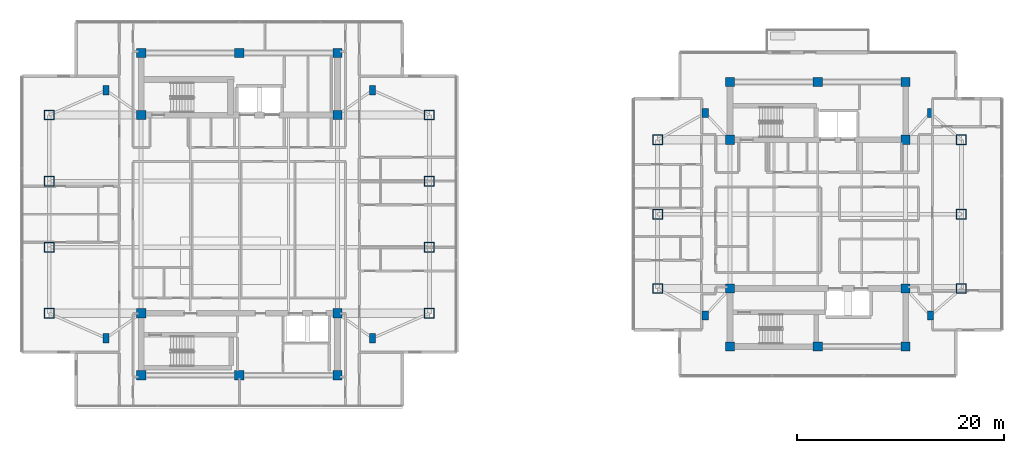
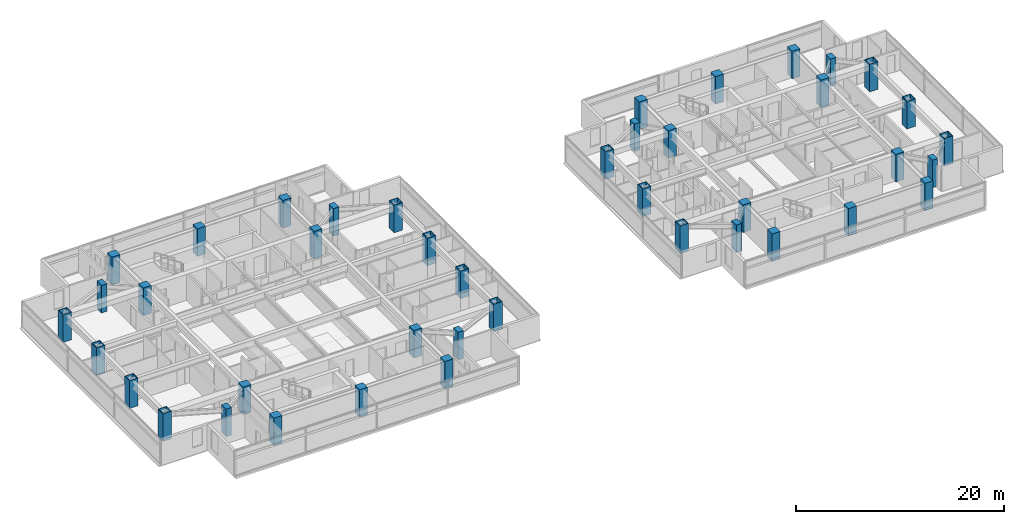
# One storey, part 1 of 26: 42 columns.
"""IFC4 building model written with IfcOpenShell, lengths in metres."""

import ifcopenshell
import ifcopenshell.guid

model = None  # the IFC model being written
_history = None  # IfcOwnerHistory: only IFC2X3 demands one
_inside = {}  # id of a spatial element -> (the spatial element, [elements in it])
_under = {}  # id of a project, library or spatial element -> (it, [spatial elements below it])
_declared = {}  # id of a project -> (the project, [libraries it declares])
_typed = {}  # id of a type object -> (the type object, [elements of that type])
_made_of = {}  # id of a material, layer set ... -> (it, [elements and type objects made of it])


def new_model(schema):
    """Start an empty IFC model of exactly this schema.

    Asked for "IFC4X3", IfcOpenShell would pick the latest addendum, in which some entities
    have other attributes; the version numbers below select the first issue.
    IFC2X3 requires an IfcOwnerHistory on every rooted entity: one is made here for all.
    """
    global model, _history
    if schema == "IFC4X3":
        model = ifcopenshell.file(schema_version=(4, 3, 0, 0))
    else:
        model = ifcopenshell.file(schema=schema)
    _inside.clear()
    _under.clear()
    _declared.clear()
    _typed.clear()
    _made_of.clear()
    _history = None
    if model.schema == "IFC2X3":
        org = make("IfcOrganization", Name="unknown")
        user = make(
            "IfcPersonAndOrganization",
            ThePerson=make("IfcPerson", FamilyName="unknown"),
            TheOrganization=org,
        )
        app = make(
            "IfcApplication",
            ApplicationDeveloper=org,
            Version="unknown",
            ApplicationFullName="unknown",
            ApplicationIdentifier="unknown",
        )
        _history = make(
            "IfcOwnerHistory",
            OwningUser=user,
            OwningApplication=app,
            ChangeAction="ADDED",
            CreationDate=0,
        )
    return model


def make(cls, **values):
    """One entity of the class cls with the attributes given. An attribute that is None is left unset."""
    return model.create_entity(
        cls, **{name: value for name, value in values.items() if value is not None}
    )


def rooted(cls, **values):
    """An entity with a GlobalId (a new one), such as an element, a storey or a relation."""
    return make(cls, GlobalId=ifcopenshell.guid.new(), OwnerHistory=_history, **values)


def si_unit(unit_type, name, prefix=None):
    """IfcSIUnit, for example si_unit("LENGTHUNIT", "METRE", prefix="MILLI")."""
    return make("IfcSIUnit", UnitType=unit_type, Prefix=prefix, Name=name)


def assignment(units):
    """IfcUnitAssignment: the units of a project."""
    return None if units is None else make("IfcUnitAssignment", Units=units)


def point(xyz):
    """IfcCartesianPoint."""
    return None if xyz is None else make("IfcCartesianPoint", Coordinates=xyz)


def direction(xyz):
    """IfcDirection."""
    return None if xyz is None else make("IfcDirection", DirectionRatios=xyz)


def frame(location, z_axis=None, x_axis=None):
    """IfcAxis2Placement3D, a coordinate frame: its origin and axes. An axis left out is left unset."""
    return make(
        "IfcAxis2Placement3D",
        Location=point(location),
        Axis=direction(z_axis),
        RefDirection=direction(x_axis),
    )


def frame_2d(location, x_axis=None):
    """IfcAxis2Placement2D, a coordinate frame in the plane: its origin and x axis."""
    return make(
        "IfcAxis2Placement2D", Location=point(location), RefDirection=direction(x_axis)
    )


def origin():
    """The frame at (0, 0, 0) with its axes left unset."""
    return frame((0.0, 0.0, 0.0))


def origin_2d():
    """The frame at (0, 0) in the plane with its x axis left unset."""
    return frame_2d((0.0, 0.0))


def place(relative_to, where):
    """IfcLocalPlacement: puts the frame where relative to a parent placement (None: the world)."""
    return make(
        "IfcLocalPlacement", PlacementRelTo=relative_to, RelativePlacement=where
    )


def context(
    kind, dimensions, precision=None, world=None, true_north=None, identifier=None
):
    """IfcGeometricRepresentationContext, for example the 3D "Model" context."""
    return make(
        "IfcGeometricRepresentationContext",
        ContextIdentifier=identifier,
        ContextType=kind,
        CoordinateSpaceDimension=dimensions,
        Precision=precision,
        WorldCoordinateSystem=world,
        TrueNorth=true_north,
    )


def subcontext(parent, identifier, kind, view, scale=None):
    """IfcGeometricRepresentationSubContext, for example "Body" below "Model"."""
    return make(
        "IfcGeometricRepresentationSubContext",
        ContextIdentifier=identifier,
        ContextType=kind,
        ParentContext=parent,
        TargetScale=scale,
        TargetView=view,
    )


def project(units=None, contexts=None):
    """IfcProject with its units and contexts."""
    return rooted(
        "IfcProject",
        Name="project",
        RepresentationContexts=contexts,
        UnitsInContext=assignment(units),
    )


def spatial(cls, under=None, at=None, **own):
    """A site, building, storey or space (cls), placed at a placement, below another one or the project."""
    s = rooted(cls, ObjectPlacement=at, **own)
    if under is not None:
        _under.setdefault(under.id(), (under, []))[1].append(s)
    return s


def profile(cls, at=None, kind="AREA", **sizes):
    """A parametric profile (cls). Its sizes go by their IFC names, for example OverallWidth=200.0."""
    return make(cls, ProfileType=kind, Position=at, **sizes)


def rectangle(**sizes):
    """IfcRectangleProfileDef."""
    return profile("IfcRectangleProfileDef", **sizes)


def hollow_rectangle(**sizes):
    """IfcRectangleHollowProfileDef."""
    return profile("IfcRectangleHollowProfileDef", **sizes)


def extrude(swept, where, along, depth):
    """IfcExtrudedAreaSolid: the profile swept, set in the frame where, extruded along a direction by depth."""
    return make(
        "IfcExtrudedAreaSolid",
        SweptArea=swept,
        Position=where,
        ExtrudedDirection=direction(along),
        Depth=depth,
    )


def shape(context_of_items, identifier, shape_type, items):
    """IfcShapeRepresentation: the items that make up one representation, for example the "Body"."""
    return make(
        "IfcShapeRepresentation",
        ContextOfItems=context_of_items,
        RepresentationIdentifier=identifier,
        RepresentationType=shape_type,
        Items=items,
    )


def material(Name=None, Category=None):
    """IfcMaterial."""
    return make("IfcMaterial", Name=Name, Category=Category)


def material_profile(
    of_material, cross_section, Name=None, Category=None, Priority=None
):
    """IfcMaterialProfile: a cross section and its material."""
    return make(
        "IfcMaterialProfile",
        Name=Name,
        Material=of_material,
        Profile=cross_section,
        Priority=Priority,
        Category=Category,
    )


def profile_set(profiles, Name=None, composite=None):
    """IfcMaterialProfileSet."""
    return make(
        "IfcMaterialProfileSet",
        Name=Name,
        MaterialProfiles=profiles,
        CompositeProfile=composite,
    )


def made_of(thing, what):
    """Note that an element or type object is made of a material, layer set ...; save() writes the relation."""
    if what is not None:
        _made_of.setdefault(what.id(), (what, []))[1].append(thing)
    return thing


def type_object(cls, material=None, **own):
    """A type object (cls), such as IfcWallType, which elements share."""
    return made_of(rooted(cls, **own), material)


def element(
    cls,
    number,
    at=None,
    inside=None,
    cuts=None,
    type_object=None,
    material=None,
    context=None,
    identifier="Body",
    shape_type=None,
    held_by="IfcProductDefinitionShape",
    body=None,
    shapes=None,
    **own,
):
    """One element of the class cls, such as IfcWall. Its Tag is "e" and its number.

    at: its placement. inside: the storey or other place that contains it. cuts: it is an
    opening in that element (IfcRelVoidsElement). A single representation is given by context,
    identifier, shape_type and body (its items); several are given by shapes. held_by: the class
    of the entity that holds the representations. save() writes the other relations.
    """
    e = rooted(cls, Tag="e%d" % number, ObjectPlacement=at, **own)
    if body is not None:
        shapes = [shape(context, identifier, shape_type, body)]
    if shapes is not None:
        e.Representation = make(held_by, Representations=shapes)
    if inside is not None:
        _inside.setdefault(inside.id(), (inside, []))[1].append(e)
    if cuts is not None:
        rooted(
            "IfcRelVoidsElement", RelatingBuildingElement=cuts, RelatedOpeningElement=e
        )
    if type_object is not None:
        _typed.setdefault(type_object.id(), (type_object, []))[1].append(e)
    return made_of(e, material)


def aggregate(whole, parts):
    """IfcRelAggregates: a whole, such as a stair, and the parts it consists of."""
    return rooted("IfcRelAggregates", RelatingObject=whole, RelatedObjects=parts)


def save(model, path):
    """Write the relations noted so far, then the file.

    IfcRelAggregates (storeys below a building ...), IfcRelContainedInSpatialStructure (elements
    in a storey), IfcRelDefinesByType, IfcRelAssociatesMaterial and IfcRelDeclares: one each for
    every whole, place, type object, material and project.
    """
    for whole, parts in _under.values():
        aggregate(whole, parts)
    for where, things in _inside.values():
        rooted(
            "IfcRelContainedInSpatialStructure",
            RelatedElements=things,
            RelatingStructure=where,
        )
    for kind, things in _typed.values():
        rooted("IfcRelDefinesByType", RelatedObjects=things, RelatingType=kind)
    for what, things in _made_of.values():
        rooted("IfcRelAssociatesMaterial", RelatedObjects=things, RelatingMaterial=what)
    for by, libraries in _declared.values():
        rooted("IfcRelDeclares", RelatingContext=by, RelatedDefinitions=libraries)
    model.write(path)


model = new_model("IFC4")

# Units and contexts
model_context = context("Model", 3, precision=1e-05, world=origin(), true_north=direction((0.0, 1.0)))
body_context = subcontext(model_context, "Body", "Model", "MODEL_VIEW")
ifc_project = project(units=[si_unit("LENGTHUNIT", "METRE"), si_unit("AREAUNIT", "SQUARE_METRE"), si_unit("VOLUMEUNIT", "CUBIC_METRE"), si_unit("PLANEANGLEUNIT", "RADIAN"), si_unit("MASSUNIT", "GRAM", prefix="KILO")], contexts=[model_context])

# Site, building, storey
site_placement = place(None, origin())
site = spatial("IfcSite", under=ifc_project, at=site_placement, CompositionType="ELEMENT")
building_placement = place(site_placement, origin())
building = spatial("IfcBuilding", under=site, at=building_placement, Name="Mirazonda Arch Towers", CompositionType="ELEMENT")
storey_placement = place(building_placement, frame((0.0, 0.0, 203.14990234375)))
storey = spatial("IfcBuildingStorey", under=building, at=storey_placement, Name="L58", CompositionType="ELEMENT", Elevation=203.14990234375)

# Columns
ifc_material_1 = material(Name="Concrete C50/60", Category="concrete")
ifc_material_profile_1 = material_profile(ifc_material_1, rectangle(XDim=0.89990234375, YDim=0.89990234375, at=origin_2d()), Name="RC900x900")
ifc_profile_set_1 = profile_set([ifc_material_profile_1], Name="Concrete C50/60")
column_type_1 = type_object("IfcColumnType", Name="COL-INT-RC900x900", PredefinedType="COLUMN", material=ifc_profile_set_1)
for number, where, z_axis, x_axis, name in (
    (1, (11.0, 12.39990234375, 0.0), (0.0, 0.0, 1.0), (1.0, 0.0, 0.0), "L58 T1 Core Column 01"),
    (2, (20.5, 12.39990234375, 0.0), (0.0, 0.0, 1.0), (1.0, 0.0, 0.0), "L58 T1 Core Column 02"),
    (3, (30.0, 12.39990234375, 0.0), (0.0, 0.0, 1.0), (1.0, 0.0, 0.0), "L58 T1 Core Column 03"),
    (4, (11.0, 18.39990234375, 0.0), (0.0, 0.0, 1.0), (1.0, 0.0, 0.0), "L58 T1 Core Column 04"),
    (5, (30.0, 18.39990234375, 0.0), (0.0, 0.0, 1.0), (1.0, 0.0, 0.0), "L58 T1 Core Column 05"),
    (6, (11.0, 37.60009765625, 0.0), (0.0, 0.0, 1.0), (1.0, 0.0, 0.0), "L58 T1 Core Column 06"),
    (7, (30.0, 37.60009765625, 0.0), (0.0, 0.0, 1.0), (1.0, 0.0, 0.0), "L58 T1 Core Column 07"),
    (8, (11.0, 43.60009765625, 0.0), (0.0, 0.0, 1.0), (1.0, 0.0, 0.0), "L58 T1 Core Column 08"),
    (9, (20.5, 43.60009765625, 0.0), (0.0, 0.0, 1.0), (1.0, 0.0, 0.0), "L58 T1 Core Column 09"),
    (10, (30.0, 43.60009765625, 0.0), (0.0, 0.0, 1.0), (1.0, 0.0, 0.0), "L58 T1 Core Column 10"),
    (11, (68.0, 15.199951171875, 0.0), (0.0, 0.0, 1.0), (1.0, 0.0, 0.0), "L58 T2 Core Column 01"),
    (12, (76.5, 15.199951171875, 0.0), (0.0, 0.0, 1.0), (1.0, 0.0, 0.0), "L58 T2 Core Column 02"),
    (13, (85.0, 15.199951171875, 0.0), (0.0, 0.0, 1.0), (1.0, 0.0, 0.0), "L58 T2 Core Column 03"),
    (14, (68.0, 20.800048828125, 0.0), (0.0, 0.0, 1.0), (1.0, 0.0, 0.0), "L58 T2 Core Column 04"),
    (15, (85.0, 20.800048828125, 0.0), (0.0, 0.0, 1.0), (1.0, 0.0, 0.0), "L58 T2 Core Column 05"),
    (16, (68.0, 35.199951171875, 0.0), (0.0, 0.0, 1.0), (1.0, 0.0, 0.0), "L58 T2 Core Column 06"),
    (17, (85.0, 35.199951171875, 0.0), (0.0, 0.0, 1.0), (1.0, 0.0, 0.0), "L58 T2 Core Column 07"),
    (18, (68.0, 40.800048828125, 0.0), (0.0, 0.0, 1.0), (1.0, 0.0, 0.0), "L58 T2 Core Column 08"),
    (19, (76.5, 40.800048828125, 0.0), (0.0, 0.0, 1.0), (1.0, 0.0, 0.0), "L58 T2 Core Column 09"),
    (20, (85.0, 40.800048828125, 0.0), (0.0, 0.0, 1.0), (1.0, 0.0, 0.0), "L58 T2 Core Column 10"),
):
    element("IfcColumn", number, at=place(storey_placement, frame(where, z_axis=z_axis, x_axis=x_axis)), inside=storey, type_object=column_type_1, Name=name, PredefinedType="COLUMN", context=body_context, shape_type="SweptSolid", body=[
        extrude(rectangle(XDim=0.89990234375, YDim=0.89990234375, at=origin_2d()), origin(), (0.0, 0.0, 1.0), 3.25),
    ])
ifc_material_2 = material(Name="Steel ASTM A572 Grade 50", Category="steel")
ifc_material_profile_2 = material_profile(ifc_material_2, hollow_rectangle(XDim=0.949951171875, YDim=0.949951171875, WallThickness=0.050048828125, at=origin_2d()), Name="BOX950x950x50")
ifc_profile_set_2 = profile_set([ifc_material_profile_2], Name="Steel ASTM A572 Grade 50")
column_type_2 = type_object("IfcColumnType", Name="MCOL-EXT-BOX950x950x50", PredefinedType="COLUMN", material=ifc_profile_set_2)
for number, where, z_axis, x_axis, name in (
    (21, (2.10009765625, 18.39990234375, 0.0), (0.0, 0.0, 1.0), (1.0, 0.0, 0.0), "L58 T1 Composite Mega-Column 01"),
    (22, (2.10009765625, 24.800048828125, 0.0), (0.0, 0.0, 1.0), (1.0, 0.0, 0.0), "L58 T1 Composite Mega-Column 02"),
    (23, (2.10009765625, 31.199951171875, 0.0), (0.0, 0.0, 1.0), (1.0, 0.0, 0.0), "L58 T1 Composite Mega-Column 03"),
    (24, (2.10009765625, 37.60009765625, 0.0), (0.0, 0.0, 1.0), (1.0, 0.0, 0.0), "L58 T1 Composite Mega-Column 04"),
    (25, (38.89990234375, 18.39990234375, 0.0), (0.0, 0.0, 1.0), (1.0, 0.0, 0.0), "L58 T1 Composite Mega-Column 05"),
    (26, (38.89990234375, 24.800048828125, 0.0), (0.0, 0.0, 1.0), (1.0, 0.0, 0.0), "L58 T1 Composite Mega-Column 06"),
    (27, (38.89990234375, 31.199951171875, 0.0), (0.0, 0.0, 1.0), (1.0, 0.0, 0.0), "L58 T1 Composite Mega-Column 07"),
    (28, (38.89990234375, 37.60009765625, 0.0), (0.0, 0.0, 1.0), (1.0, 0.0, 0.0), "L58 T1 Composite Mega-Column 08"),
    (29, (61.0, 20.800048828125, 0.0), (0.0, 0.0, 1.0), (1.0, 0.0, 0.0), "L58 T2 Composite Mega-Column 01"),
    (30, (61.0, 28.0, 0.0), (0.0, 0.0, 1.0), (1.0, 0.0, 0.0), "L58 T2 Composite Mega-Column 02"),
    (31, (61.0, 35.199951171875, 0.0), (0.0, 0.0, 1.0), (1.0, 0.0, 0.0), "L58 T2 Composite Mega-Column 03"),
    (32, (90.39990234375, 20.800048828125, 0.0), (0.0, 0.0, 1.0), (1.0, 0.0, 0.0), "L58 T2 Composite Mega-Column 04"),
    (33, (90.39990234375, 28.0, 0.0), (0.0, 0.0, 1.0), (1.0, 0.0, 0.0), "L58 T2 Composite Mega-Column 05"),
    (34, (90.39990234375, 35.199951171875, 0.0), (0.0, 0.0, 1.0), (1.0, 0.0, 0.0), "L58 T2 Composite Mega-Column 06"),
):
    element("IfcColumn", number, at=place(storey_placement, frame(where, z_axis=z_axis, x_axis=x_axis)), inside=storey, type_object=column_type_2, Name=name, PredefinedType="COLUMN", context=body_context, shape_type="SweptSolid", body=[
        extrude(hollow_rectangle(XDim=0.949951171875, YDim=0.949951171875, WallThickness=0.050048828125, at=origin_2d()), origin(), (0.0, 0.0, 1.0), 3.25),
    ])
ifc_material_profile_3 = material_profile(ifc_material_1, rectangle(XDim=0.60009765625, YDim=0.89990234375, at=origin_2d()), Name="RC900x600")
ifc_profile_set_3 = profile_set([ifc_material_profile_3], Name="Concrete C50/60")
column_type_3 = type_object("IfcColumnType", Name="PIL-EXT-RC900x600", PredefinedType="PILASTER", material=ifc_profile_set_3)
for number, where, z_axis, x_axis, name in (
    (35, (7.60009765625, 16.0, 0.0), (0.0, 0.0, 1.0), (1.0, 0.0, 0.0), "L58 T1 Corner Pilaster 01"),
    (36, (33.39990234375, 16.0, 0.0), (0.0, 0.0, 1.0), (1.0, 0.0, 0.0), "L58 T1 Corner Pilaster 02"),
    (37, (7.60009765625, 40.0, 0.0), (0.0, 0.0, 1.0), (1.0, 0.0, 0.0), "L58 T1 Corner Pilaster 03"),
    (38, (33.39990234375, 40.0, 0.0), (0.0, 0.0, 1.0), (1.0, 0.0, 0.0), "L58 T1 Corner Pilaster 04"),
    (39, (65.60009765625, 18.199951171875, 0.0), (0.0, 0.0, 1.0), (1.0, 0.0, 0.0), "L58 T2 Corner Pilaster 01"),
    (40, (87.39990234375, 18.199951171875, 0.0), (0.0, 0.0, 1.0), (1.0, 0.0, 0.0), "L58 T2 Corner Pilaster 02"),
    (41, (65.60009765625, 37.800048828125, 0.0), (0.0, 0.0, 1.0), (1.0, 0.0, 0.0), "L58 T2 Corner Pilaster 03"),
    (42, (87.39990234375, 37.800048828125, 0.0), (0.0, 0.0, 1.0), (1.0, 0.0, 0.0), "L58 T2 Corner Pilaster 04"),
):
    element("IfcColumn", number, at=place(storey_placement, frame(where, z_axis=z_axis, x_axis=x_axis)), inside=storey, type_object=column_type_3, Name=name, PredefinedType="PILASTER", context=body_context, shape_type="SweptSolid", body=[
        extrude(rectangle(XDim=0.60009765625, YDim=0.89990234375, at=origin_2d()), origin(), (0.0, 0.0, 1.0), 3.25),
    ])

save(model, "model.ifc")
